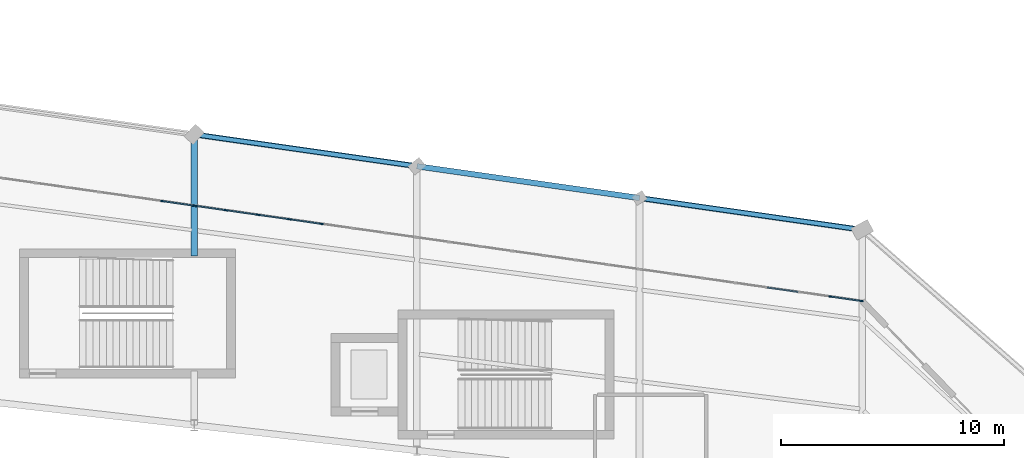
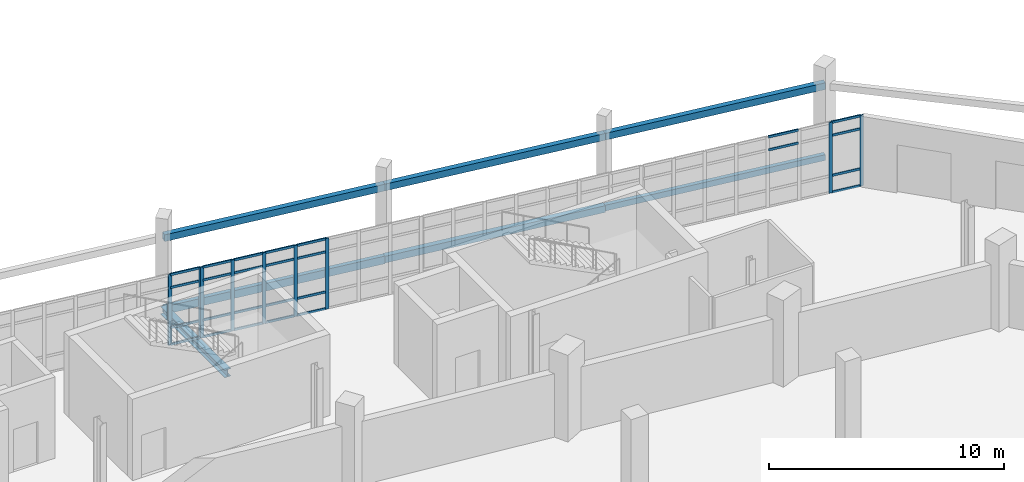
# One storey, part 76 of 122: 35 members, 7 beams, 3 elements without a shape of their own.
"""IFC4 building model written with IfcOpenShell, lengths in metres."""

from ifc_helpers import new_model, si_unit, direction, frame, origin, origin_2d, place, context, subcontext, project, spatial, rectangle, hollow_rectangle, i_section, extrude, material, layer, layer_set, material_profile, profile_set, type_object, element, aggregate, save


model = new_model("IFC4")

# Units and contexts
model_context = context("Model", 3, precision=1e-05, world=origin(), true_north=direction((0.0, 1.0)))
body_context = subcontext(model_context, "Body", "Model", "MODEL_VIEW")
ifc_project = project(units=[si_unit("LENGTHUNIT", "METRE"), si_unit("AREAUNIT", "SQUARE_METRE"), si_unit("VOLUMEUNIT", "CUBIC_METRE"), si_unit("PLANEANGLEUNIT", "RADIAN"), si_unit("MASSUNIT", "GRAM", prefix="KILO")], contexts=[model_context])

# Site, building, storey
site_placement = place(None, origin())
site = spatial("IfcSite", under=ifc_project, at=site_placement, CompositionType="ELEMENT")
building_placement = place(site_placement, origin())
building = spatial("IfcBuilding", under=site, at=building_placement, Name="Sohan Crest Arena", CompositionType="ELEMENT")
storey_placement = place(building_placement, origin())
storey = spatial("IfcBuildingStorey", under=building, at=storey_placement, Name="L00", CompositionType="ELEMENT", Elevation=0.0)

# Curtain wall, members
ifc_material_1 = material(Name="Thermally broken anodised aluminium", Category="aluminium")
ifc_layer = layer(ifc_material_1, 0.179931640625, Name="Thermally broken anodised aluminium")
ifc_layer_set = layer_set([ifc_layer], Name="Thermally broken anodised aluminium")
curtain_wall_type = type_object("IfcCurtainWallType", Name="ARC-CW01", PredefinedType="NOTDEFINED", material=ifc_layer_set)
curtain_wall_1_placement = place(storey_placement, origin())
curtain_wall_1 = element("IfcCurtainWall", 1, at=curtain_wall_1_placement, inside=storey, type_object=curtain_wall_type, Name="Unitised curtain wall CW-014", PredefinedType="NOTDEFINED")
ifc_material_profile_1 = material_profile(ifc_material_1, rectangle(XDim=0.06005859375, YDim=0.159912109375, at=origin_2d()), Name="ALU-MULL 60x160")
ifc_profile_set_1 = profile_set([ifc_material_profile_1], Name="Thermally broken anodised aluminium")
member_type_1 = type_object("IfcMemberType", Name="ARC-CW-ML01", PredefinedType="MULLION", material=ifc_profile_set_1)
member_1_placement = place(storey_placement, frame((167.97021484375, 112.80419921875, 0.0), z_axis=(0.0, 0.0, 1.0), x_axis=(-0.141462933734, -0.989943553128, 0.0)))
member_1 = element("IfcMember", 2, at=member_1_placement, type_object=member_type_1, Name="CW-014 mullion 1", PredefinedType="MULLION", context=body_context, shape_type="SweptSolid", body=[
    extrude(rectangle(XDim=0.06005859375, YDim=0.159912109375, at=origin_2d()), origin(), (0.0, 0.0, 1.0), 3.679931640625),
])
member_2_placement = place(storey_placement, frame((166.571533203125, 113.004150390625, 0.0), z_axis=(0.0, 0.0, 1.0), x_axis=(-0.141462933734, -0.989943553128, 0.0)))
member_2 = element("IfcMember", 3, at=member_2_placement, type_object=member_type_1, Name="CW-014 mullion 2", PredefinedType="MULLION", context=body_context, shape_type="SweptSolid", body=[
    extrude(rectangle(XDim=0.06005859375, YDim=0.159912109375, at=origin_2d()), origin(), (0.0, 0.0, 1.0), 3.679931640625),
])

curtain_wall_2_placement = place(storey_placement, origin())
curtain_wall_2 = element("IfcCurtainWall", 4, at=curtain_wall_2_placement, inside=storey, type_object=curtain_wall_type, Name="Unitised curtain wall CW-016", PredefinedType="NOTDEFINED")
member_3_placement = place(storey_placement, frame((143.71435546875, 116.26953125, 0.0), z_axis=(0.0, 0.0, 1.0), x_axis=(-0.141462933734, -0.989943553128, 0.0)))
member_3 = element("IfcMember", 5, at=member_3_placement, type_object=member_type_1, Name="CW-016 mullion 4", PredefinedType="MULLION", context=body_context, shape_type="SweptSolid", body=[
    extrude(rectangle(XDim=0.06005859375, YDim=0.159912109375, at=origin_2d()), origin(), (0.0, 0.0, 1.0), 3.679931640625),
])
member_4_placement = place(storey_placement, frame((142.28564453125, 116.4736328125, 0.0), z_axis=(0.0, 0.0, 1.0), x_axis=(-0.141462933734, -0.989943553128, 0.0)))
member_4 = element("IfcMember", 6, at=member_4_placement, type_object=member_type_1, Name="CW-016 mullion 5", PredefinedType="MULLION", context=body_context, shape_type="SweptSolid", body=[
    extrude(rectangle(XDim=0.06005859375, YDim=0.159912109375, at=origin_2d()), origin(), (0.0, 0.0, 1.0), 3.679931640625),
])
member_5_placement = place(storey_placement, frame((140.857177734375, 116.677734375, 0.0), z_axis=(0.0, 0.0, 1.0), x_axis=(-0.141462933734, -0.989943553128, 0.0)))
member_5 = element("IfcMember", 7, at=member_5_placement, type_object=member_type_1, Name="CW-016 mullion 6", PredefinedType="MULLION", context=body_context, shape_type="SweptSolid", body=[
    extrude(rectangle(XDim=0.06005859375, YDim=0.159912109375, at=origin_2d()), origin(), (0.0, 0.0, 1.0), 3.679931640625),
])
member_6_placement = place(storey_placement, frame((139.428466796875, 116.8818359375, 0.0), z_axis=(0.0, 0.0, 1.0), x_axis=(-0.141462933734, -0.989943553128, 0.0)))
member_6 = element("IfcMember", 8, at=member_6_placement, type_object=member_type_1, Name="CW-016 mullion 7", PredefinedType="MULLION", context=body_context, shape_type="SweptSolid", body=[
    extrude(rectangle(XDim=0.06005859375, YDim=0.159912109375, at=origin_2d()), origin(), (0.0, 0.0, 1.0), 3.679931640625),
])
member_7_placement = place(storey_placement, frame((138.02978515625, 117.081787109375, 0.0), z_axis=(0.0, 0.0, 1.0), x_axis=(-0.141462933734, -0.989943553128, 0.0)))
member_7 = element("IfcMember", 9, at=member_7_placement, type_object=member_type_1, Name="CW-016 mullion 8", PredefinedType="MULLION", context=body_context, shape_type="SweptSolid", body=[
    extrude(rectangle(XDim=0.06005859375, YDim=0.159912109375, at=origin_2d()), origin(), (0.0, 0.0, 1.0), 3.679931640625),
])

curtain_wall_3_placement = place(storey_placement, origin())
curtain_wall_3 = element("IfcCurtainWall", 10, at=curtain_wall_3_placement, inside=storey, type_object=curtain_wall_type, Name="Unitised curtain wall CW-017", PredefinedType="NOTDEFINED")
member_8_placement = place(storey_placement, frame((137.97021484375, 117.09033203125, 0.0), z_axis=(0.0, 0.0, 1.0), x_axis=(-0.141365918403, -0.989957411768, 0.0)))
member_8 = element("IfcMember", 11, at=member_8_placement, type_object=member_type_1, Name="CW-017 mullion 1", PredefinedType="MULLION", context=body_context, shape_type="SweptSolid", body=[
    extrude(rectangle(XDim=0.06005859375, YDim=0.159912109375, at=origin_2d()), origin(), (0.0, 0.0, 1.0), 3.679931640625),
])
member_9_placement = place(storey_placement, frame((136.571533203125, 117.2900390625, 0.0), z_axis=(0.0, 0.0, 1.0), x_axis=(-0.141365918403, -0.989957411768, 0.0)))
member_9 = element("IfcMember", 12, at=member_9_placement, type_object=member_type_1, Name="CW-017 mullion 2", PredefinedType="MULLION", context=body_context, shape_type="SweptSolid", body=[
    extrude(rectangle(XDim=0.06005859375, YDim=0.159912109375, at=origin_2d()), origin(), (0.0, 0.0, 1.0), 3.679931640625),
])

# Member
ifc_material_profile_2 = material_profile(ifc_material_1, rectangle(XDim=0.06005859375, YDim=0.1201171875, at=origin_2d()), Name="ALU-TRAN 60x120")
ifc_profile_set_2 = profile_set([ifc_material_profile_2], Name="Thermally broken anodised aluminium")
member_type_2 = type_object("IfcMemberType", Name="ARC-CW-TR01", PredefinedType="USERDEFINED", material=ifc_profile_set_2)
member_10_placement = place(storey_placement, frame((167.940673828125, 112.80859375, 0.030029296875), z_axis=(-0.989945885007, 0.141446614515, 0.0), x_axis=(-0.141446614515, -0.989945885007, 0.0)))
member_10 = element("IfcMember", 13, at=member_10_placement, type_object=member_type_2, Name="CW-014 transom 1.1", ObjectType="TRANSOM", PredefinedType="USERDEFINED", context=body_context, shape_type="SweptSolid", body=[
    extrude(rectangle(XDim=0.06005859375, YDim=0.1201171875, at=origin_2d()), origin(), (0.0, 0.0, 1.0), 1.353271484375),
])

member_11_placement = place(storey_placement, frame((167.940673828125, 112.80859375, 0.89990234375), z_axis=(-0.989945885007, 0.141446614515, 0.0), x_axis=(-0.141446614515, -0.989945885007, 0.0)))
member_11 = element("IfcMember", 14, at=member_11_placement, type_object=member_type_2, Name="CW-014 transom 1.2", ObjectType="TRANSOM", PredefinedType="USERDEFINED", context=body_context, shape_type="SweptSolid", body=[
    extrude(rectangle(XDim=0.06005859375, YDim=0.1201171875, at=origin_2d()), origin(), (0.0, 0.0, 1.0), 1.353271484375),
])

member_12_placement = place(storey_placement, frame((167.940673828125, 112.80859375, 2.97998046875), z_axis=(-0.989945885007, 0.141446614515, 0.0), x_axis=(-0.141446614515, -0.989945885007, 0.0)))
member_12 = element("IfcMember", 15, at=member_12_placement, type_object=member_type_2, Name="CW-014 transom 1.3", ObjectType="TRANSOM", PredefinedType="USERDEFINED", context=body_context, shape_type="SweptSolid", body=[
    extrude(rectangle(XDim=0.06005859375, YDim=0.1201171875, at=origin_2d()), origin(), (0.0, 0.0, 1.0), 1.353271484375),
])

member_13_placement = place(storey_placement, frame((167.940673828125, 112.80859375, 3.64990234375), z_axis=(-0.989945885007, 0.141446614515, 0.0), x_axis=(-0.141446614515, -0.989945885007, 0.0)))
member_13 = element("IfcMember", 16, at=member_13_placement, type_object=member_type_2, Name="CW-014 transom 1.4", ObjectType="TRANSOM", PredefinedType="USERDEFINED", context=body_context, shape_type="SweptSolid", body=[
    extrude(rectangle(XDim=0.06005859375, YDim=0.1201171875, at=origin_2d()), origin(), (0.0, 0.0, 1.0), 1.353271484375),
])

member_14_placement = place(storey_placement, frame((165.113037109375, 113.212646484375, 2.97998046875), z_axis=(-0.989953023856, 0.141396642673, 0.0), x_axis=(-0.141396642673, -0.989953023856, 0.0)))
member_14 = element("IfcMember", 17, at=member_14_placement, type_object=member_type_2, Name="CW-014 transom 3.3", ObjectType="TRANSOM", PredefinedType="USERDEFINED", context=body_context, shape_type="SweptSolid", body=[
    extrude(rectangle(XDim=0.06005859375, YDim=0.1201171875, at=origin_2d()), origin(), (0.0, 0.0, 1.0), 1.383056640625),
])

member_15_placement = place(storey_placement, frame((165.113037109375, 113.212646484375, 3.64990234375), z_axis=(-0.989953023856, 0.141396642673, 0.0), x_axis=(-0.141396642673, -0.989953023856, 0.0)))
member_15 = element("IfcMember", 18, at=member_15_placement, type_object=member_type_2, Name="CW-014 transom 3.4", ObjectType="TRANSOM", PredefinedType="USERDEFINED", context=body_context, shape_type="SweptSolid", body=[
    extrude(rectangle(XDim=0.06005859375, YDim=0.1201171875, at=origin_2d()), origin(), (0.0, 0.0, 1.0), 1.383056640625),
])

aggregate(curtain_wall_1, [member_1, member_2, member_10, member_11, member_12, member_13, member_14, member_15])

member_16_placement = place(storey_placement, frame((143.6845703125, 116.273681640625, 0.030029296875), z_axis=(-0.989953023856, 0.141396642673, 0.0), x_axis=(-0.141396642673, -0.989953023856, 0.0)))
member_16 = element("IfcMember", 19, at=member_16_placement, type_object=member_type_2, Name="CW-016 transom 4.1", ObjectType="TRANSOM", PredefinedType="USERDEFINED", context=body_context, shape_type="SweptSolid", body=[
    extrude(rectangle(XDim=0.06005859375, YDim=0.1201171875, at=origin_2d()), origin(), (0.0, 0.0, 1.0), 1.383056640625),
])

member_17_placement = place(storey_placement, frame((143.6845703125, 116.273681640625, 0.89990234375), z_axis=(-0.989953023856, 0.141396642673, 0.0), x_axis=(-0.141396642673, -0.989953023856, 0.0)))
member_17 = element("IfcMember", 20, at=member_17_placement, type_object=member_type_2, Name="CW-016 transom 4.2", ObjectType="TRANSOM", PredefinedType="USERDEFINED", context=body_context, shape_type="SweptSolid", body=[
    extrude(rectangle(XDim=0.06005859375, YDim=0.1201171875, at=origin_2d()), origin(), (0.0, 0.0, 1.0), 1.383056640625),
])

member_18_placement = place(storey_placement, frame((143.6845703125, 116.273681640625, 2.97998046875), z_axis=(-0.989953023856, 0.141396642673, 0.0), x_axis=(-0.141396642673, -0.989953023856, 0.0)))
member_18 = element("IfcMember", 21, at=member_18_placement, type_object=member_type_2, Name="CW-016 transom 4.3", ObjectType="TRANSOM", PredefinedType="USERDEFINED", context=body_context, shape_type="SweptSolid", body=[
    extrude(rectangle(XDim=0.06005859375, YDim=0.1201171875, at=origin_2d()), origin(), (0.0, 0.0, 1.0), 1.383056640625),
])

member_19_placement = place(storey_placement, frame((143.6845703125, 116.273681640625, 3.64990234375), z_axis=(-0.989953023856, 0.141396642673, 0.0), x_axis=(-0.141396642673, -0.989953023856, 0.0)))
member_19 = element("IfcMember", 22, at=member_19_placement, type_object=member_type_2, Name="CW-016 transom 4.4", ObjectType="TRANSOM", PredefinedType="USERDEFINED", context=body_context, shape_type="SweptSolid", body=[
    extrude(rectangle(XDim=0.06005859375, YDim=0.1201171875, at=origin_2d()), origin(), (0.0, 0.0, 1.0), 1.383056640625),
])

member_20_placement = place(storey_placement, frame((142.256103515625, 116.477783203125, 0.030029296875), z_axis=(-0.989928300068, 0.141569632071, 0.0), x_axis=(-0.141569632071, -0.989928300068, 0.0)))
member_20 = element("IfcMember", 23, at=member_20_placement, type_object=member_type_2, Name="CW-016 transom 5.1", ObjectType="TRANSOM", PredefinedType="USERDEFINED", context=body_context, shape_type="SweptSolid", body=[
    extrude(rectangle(XDim=0.06005859375, YDim=0.1201171875, at=origin_2d()), origin(), (0.0, 0.0, 1.0), 1.383056640625),
])

member_21_placement = place(storey_placement, frame((142.256103515625, 116.477783203125, 0.89990234375), z_axis=(-0.989928300068, 0.141569632071, 0.0), x_axis=(-0.141569632071, -0.989928300068, 0.0)))
member_21 = element("IfcMember", 24, at=member_21_placement, type_object=member_type_2, Name="CW-016 transom 5.2", ObjectType="TRANSOM", PredefinedType="USERDEFINED", context=body_context, shape_type="SweptSolid", body=[
    extrude(rectangle(XDim=0.06005859375, YDim=0.1201171875, at=origin_2d()), origin(), (0.0, 0.0, 1.0), 1.383056640625),
])

member_22_placement = place(storey_placement, frame((142.256103515625, 116.477783203125, 2.97998046875), z_axis=(-0.989928300068, 0.141569632071, 0.0), x_axis=(-0.141569632071, -0.989928300068, 0.0)))
member_22 = element("IfcMember", 25, at=member_22_placement, type_object=member_type_2, Name="CW-016 transom 5.3", ObjectType="TRANSOM", PredefinedType="USERDEFINED", context=body_context, shape_type="SweptSolid", body=[
    extrude(rectangle(XDim=0.06005859375, YDim=0.1201171875, at=origin_2d()), origin(), (0.0, 0.0, 1.0), 1.383056640625),
])

member_23_placement = place(storey_placement, frame((142.256103515625, 116.477783203125, 3.64990234375), z_axis=(-0.989928300068, 0.141569632071, 0.0), x_axis=(-0.141569632071, -0.989928300068, 0.0)))
member_23 = element("IfcMember", 26, at=member_23_placement, type_object=member_type_2, Name="CW-016 transom 5.4", ObjectType="TRANSOM", PredefinedType="USERDEFINED", context=body_context, shape_type="SweptSolid", body=[
    extrude(rectangle(XDim=0.06005859375, YDim=0.1201171875, at=origin_2d()), origin(), (0.0, 0.0, 1.0), 1.383056640625),
])

member_24_placement = place(storey_placement, frame((140.827392578125, 116.681884765625, 0.030029296875), z_axis=(-0.989928300068, 0.141569632071, 0.0), x_axis=(-0.141569632071, -0.989928300068, 0.0)))
member_24 = element("IfcMember", 27, at=member_24_placement, type_object=member_type_2, Name="CW-016 transom 6.1", ObjectType="TRANSOM", PredefinedType="USERDEFINED", context=body_context, shape_type="SweptSolid", body=[
    extrude(rectangle(XDim=0.06005859375, YDim=0.1201171875, at=origin_2d()), origin(), (0.0, 0.0, 1.0), 1.383056640625),
])

member_25_placement = place(storey_placement, frame((140.827392578125, 116.681884765625, 0.89990234375), z_axis=(-0.989928300068, 0.141569632071, 0.0), x_axis=(-0.141569632071, -0.989928300068, 0.0)))
member_25 = element("IfcMember", 28, at=member_25_placement, type_object=member_type_2, Name="CW-016 transom 6.2", ObjectType="TRANSOM", PredefinedType="USERDEFINED", context=body_context, shape_type="SweptSolid", body=[
    extrude(rectangle(XDim=0.06005859375, YDim=0.1201171875, at=origin_2d()), origin(), (0.0, 0.0, 1.0), 1.383056640625),
])

member_26_placement = place(storey_placement, frame((140.827392578125, 116.681884765625, 2.97998046875), z_axis=(-0.989928300068, 0.141569632071, 0.0), x_axis=(-0.141569632071, -0.989928300068, 0.0)))
member_26 = element("IfcMember", 29, at=member_26_placement, type_object=member_type_2, Name="CW-016 transom 6.3", ObjectType="TRANSOM", PredefinedType="USERDEFINED", context=body_context, shape_type="SweptSolid", body=[
    extrude(rectangle(XDim=0.06005859375, YDim=0.1201171875, at=origin_2d()), origin(), (0.0, 0.0, 1.0), 1.383056640625),
])

member_27_placement = place(storey_placement, frame((140.827392578125, 116.681884765625, 3.64990234375), z_axis=(-0.989928300068, 0.141569632071, 0.0), x_axis=(-0.141569632071, -0.989928300068, 0.0)))
member_27 = element("IfcMember", 30, at=member_27_placement, type_object=member_type_2, Name="CW-016 transom 6.4", ObjectType="TRANSOM", PredefinedType="USERDEFINED", context=body_context, shape_type="SweptSolid", body=[
    extrude(rectangle(XDim=0.06005859375, YDim=0.1201171875, at=origin_2d()), origin(), (0.0, 0.0, 1.0), 1.383056640625),
])

member_28_placement = place(storey_placement, frame((139.39892578125, 116.885986328125, 0.030029296875), z_axis=(-0.989945885007, 0.141446614515, 0.0), x_axis=(-0.141446614515, -0.989945885007, 0.0)))
member_28 = element("IfcMember", 31, at=member_28_placement, type_object=member_type_2, Name="CW-016 transom 7.1", ObjectType="TRANSOM", PredefinedType="USERDEFINED", context=body_context, shape_type="SweptSolid", body=[
    extrude(rectangle(XDim=0.06005859375, YDim=0.1201171875, at=origin_2d()), origin(), (0.0, 0.0, 1.0), 1.353271484375),
])

member_29_placement = place(storey_placement, frame((139.39892578125, 116.885986328125, 0.89990234375), z_axis=(-0.989945885007, 0.141446614515, 0.0), x_axis=(-0.141446614515, -0.989945885007, 0.0)))
member_29 = element("IfcMember", 32, at=member_29_placement, type_object=member_type_2, Name="CW-016 transom 7.2", ObjectType="TRANSOM", PredefinedType="USERDEFINED", context=body_context, shape_type="SweptSolid", body=[
    extrude(rectangle(XDim=0.06005859375, YDim=0.1201171875, at=origin_2d()), origin(), (0.0, 0.0, 1.0), 1.353271484375),
])

member_30_placement = place(storey_placement, frame((139.39892578125, 116.885986328125, 2.97998046875), z_axis=(-0.989945885007, 0.141446614515, 0.0), x_axis=(-0.141446614515, -0.989945885007, 0.0)))
member_30 = element("IfcMember", 33, at=member_30_placement, type_object=member_type_2, Name="CW-016 transom 7.3", ObjectType="TRANSOM", PredefinedType="USERDEFINED", context=body_context, shape_type="SweptSolid", body=[
    extrude(rectangle(XDim=0.06005859375, YDim=0.1201171875, at=origin_2d()), origin(), (0.0, 0.0, 1.0), 1.353271484375),
])

member_31_placement = place(storey_placement, frame((139.39892578125, 116.885986328125, 3.64990234375), z_axis=(-0.989945885007, 0.141446614515, 0.0), x_axis=(-0.141446614515, -0.989945885007, 0.0)))
member_31 = element("IfcMember", 34, at=member_31_placement, type_object=member_type_2, Name="CW-016 transom 7.4", ObjectType="TRANSOM", PredefinedType="USERDEFINED", context=body_context, shape_type="SweptSolid", body=[
    extrude(rectangle(XDim=0.06005859375, YDim=0.1201171875, at=origin_2d()), origin(), (0.0, 0.0, 1.0), 1.353271484375),
])

aggregate(curtain_wall_2, [member_3, member_4, member_5, member_6, member_7, member_16, member_17, member_18, member_19, member_20, member_21, member_22, member_23, member_24, member_25, member_26, member_27, member_28, member_29, member_30, member_31])

member_32_placement = place(storey_placement, frame((137.940673828125, 117.094482421875, 0.030029296875), z_axis=(-0.989971132604, 0.141269800771, 0.0), x_axis=(-0.141269800771, -0.989971132604, 0.0)))
member_32 = element("IfcMember", 35, at=member_32_placement, type_object=member_type_2, Name="CW-017 transom 1.1", ObjectType="TRANSOM", PredefinedType="USERDEFINED", context=body_context, shape_type="SweptSolid", body=[
    extrude(rectangle(XDim=0.06005859375, YDim=0.1201171875, at=origin_2d()), origin(), (0.0, 0.0, 1.0), 1.353271484375),
])

member_33_placement = place(storey_placement, frame((137.940673828125, 117.094482421875, 0.89990234375), z_axis=(-0.989971132604, 0.141269800771, 0.0), x_axis=(-0.141269800771, -0.989971132604, 0.0)))
member_33 = element("IfcMember", 36, at=member_33_placement, type_object=member_type_2, Name="CW-017 transom 1.2", ObjectType="TRANSOM", PredefinedType="USERDEFINED", context=body_context, shape_type="SweptSolid", body=[
    extrude(rectangle(XDim=0.06005859375, YDim=0.1201171875, at=origin_2d()), origin(), (0.0, 0.0, 1.0), 1.353271484375),
])

member_34_placement = place(storey_placement, frame((137.940673828125, 117.094482421875, 2.97998046875), z_axis=(-0.989971132604, 0.141269800771, 0.0), x_axis=(-0.141269800771, -0.989971132604, 0.0)))
member_34 = element("IfcMember", 37, at=member_34_placement, type_object=member_type_2, Name="CW-017 transom 1.3", ObjectType="TRANSOM", PredefinedType="USERDEFINED", context=body_context, shape_type="SweptSolid", body=[
    extrude(rectangle(XDim=0.06005859375, YDim=0.1201171875, at=origin_2d()), origin(), (0.0, 0.0, 1.0), 1.353271484375),
])

member_35_placement = place(storey_placement, frame((137.940673828125, 117.094482421875, 3.64990234375), z_axis=(-0.989971132604, 0.141269800771, 0.0), x_axis=(-0.141269800771, -0.989971132604, 0.0)))
member_35 = element("IfcMember", 38, at=member_35_placement, type_object=member_type_2, Name="CW-017 transom 1.4", ObjectType="TRANSOM", PredefinedType="USERDEFINED", context=body_context, shape_type="SweptSolid", body=[
    extrude(rectangle(XDim=0.06005859375, YDim=0.1201171875, at=origin_2d()), origin(), (0.0, 0.0, 1.0), 1.353271484375),
])

aggregate(curtain_wall_3, [member_8, member_9, member_32, member_33, member_34, member_35])

# Beams
ifc_material_2 = material(Name="Steel S355", Category="steel")
ifc_material_profile_3 = material_profile(ifc_material_2, i_section(OverallWidth=0.300048828125, OverallDepth=0.39990234375, WebThickness=0.013427734375, FlangeThickness=0.02392578125, at=origin_2d()), Name="HEB 400")
ifc_profile_set_3 = profile_set([ifc_material_profile_3], Name="Steel S355")
beam_type_1 = type_object("IfcBeamType", Name="STR-BM-B13", PredefinedType="BEAM", material=ifc_profile_set_3)
beam_1_placement = place(storey_placement, frame((138.0, 114.830078125, -0.47509765625), z_axis=(0.0, 1.0, 0.0), x_axis=(-1.0, 0.0, 0.0)))
element("IfcBeam", 39, at=beam_1_placement, inside=storey, type_object=beam_type_1, Name="Structural beam G-L00-1068", PredefinedType="BEAM", context=body_context, shape_type="SweptSolid", body=[
    extrude(i_section(OverallWidth=0.300048828125, OverallDepth=0.39990234375, WebThickness=0.013427734375, FlangeThickness=0.02392578125, at=origin_2d()), origin(), (0.0, 0.0, 1.0), 5.455810546875),
])
ifc_material_profile_4 = material_profile(ifc_material_2, hollow_rectangle(XDim=0.199951171875, YDim=0.300048828125, WallThickness=0.010009765625, at=origin_2d()), Name="RHS 300x200x10")
ifc_profile_set_4 = profile_set([ifc_material_profile_4], Name="Steel S355")
beam_type_2 = type_object("IfcBeamType", Name="STR-BM-SP03", PredefinedType="SPANDREL", material=ifc_profile_set_4)
beam_2_placement = place(storey_placement, frame((168.0, 116.0, -0.425048828125), z_axis=(-0.989944175879, 0.141458575718, 0.0), x_axis=(-0.141458575718, -0.989944175879, 0.0)))
element("IfcBeam", 40, at=beam_2_placement, inside=storey, type_object=beam_type_2, Name="Structural beam SP-L00-1052", PredefinedType="SPANDREL", context=body_context, shape_type="SweptSolid", body=[
    extrude(hollow_rectangle(XDim=0.199951171875, YDim=0.300048828125, WallThickness=0.010009765625, at=origin_2d()), origin(), (0.0, 0.0, 1.0), 10.1015625),
])
ifc_material_profile_5 = material_profile(ifc_material_2, hollow_rectangle(XDim=0.25, YDim=0.35009765625, WallThickness=0.012451171875, at=origin_2d()), Name="RHS 350x250x12.5")
ifc_profile_set_5 = profile_set([ifc_material_profile_5], Name="Steel S355")
beam_type_3 = type_object("IfcBeamType", Name="STR-BM-SP04", PredefinedType="SPANDREL", material=ifc_profile_set_5)
for number, where, z_axis, x_axis, name in (
    (41, (168.0, 116.0, 3.300048828125), (-0.989944175879, 0.141458575718, 0.0), (-0.141458575718, -0.989944175879, 0.0), "Structural beam ARC-L00-1053"),
    (42, (158.0, 117.428955078125, -0.449951171875), (-0.989957709412, 0.141363834042, 0.0), (-0.141363834042, -0.989957709412, 0.0), "Structural beam SP-L00-1058"),
    (43, (158.0, 117.428955078125, 3.300048828125), (-0.989957709412, 0.141363834042, 0.0), (-0.141363834042, -0.989957709412, 0.0), "Structural beam ARC-L00-1059"),
    (44, (148.0, 118.85693359375, 3.300048828125), (-0.989944175879, 0.141458575718, 0.0), (-0.141458575718, -0.989944175879, 0.0), "Structural beam ARC-L00-1065"),
):
    element("IfcBeam", number, at=place(storey_placement, frame(where, z_axis=z_axis, x_axis=x_axis)), inside=storey, type_object=beam_type_3, Name=name, PredefinedType="SPANDREL", context=body_context, shape_type="SweptSolid", body=[
        extrude(hollow_rectangle(XDim=0.25, YDim=0.35009765625, WallThickness=0.012451171875, at=origin_2d()), origin(), (0.0, 0.0, 1.0), 10.1015625),
    ])
ifc_material_profile_6 = material_profile(ifc_material_2, hollow_rectangle(XDim=0.199951171875, YDim=0.39990234375, WallThickness=0.012451171875, at=origin_2d()), Name="RHS 400x200x12.5")
ifc_profile_set_6 = profile_set([ifc_material_profile_6], Name="Steel S355")
beam_type_4 = type_object("IfcBeamType", Name="STR-BM-SP05", PredefinedType="SPANDREL", material=ifc_profile_set_6)
beam_3_placement = place(storey_placement, frame((148.0, 118.85693359375, -0.47509765625), z_axis=(-0.989944175879, 0.141458575718, 0.0), x_axis=(-0.141458575718, -0.989944175879, 0.0)))
element("IfcBeam", 45, at=beam_3_placement, inside=storey, type_object=beam_type_4, Name="Structural beam SP-L00-1064", PredefinedType="SPANDREL", context=body_context, shape_type="SweptSolid", body=[
    extrude(hollow_rectangle(XDim=0.199951171875, YDim=0.39990234375, WallThickness=0.012451171875, at=origin_2d()), origin(), (0.0, 0.0, 1.0), 10.1015625),
])

save(model, "model.ifc")
